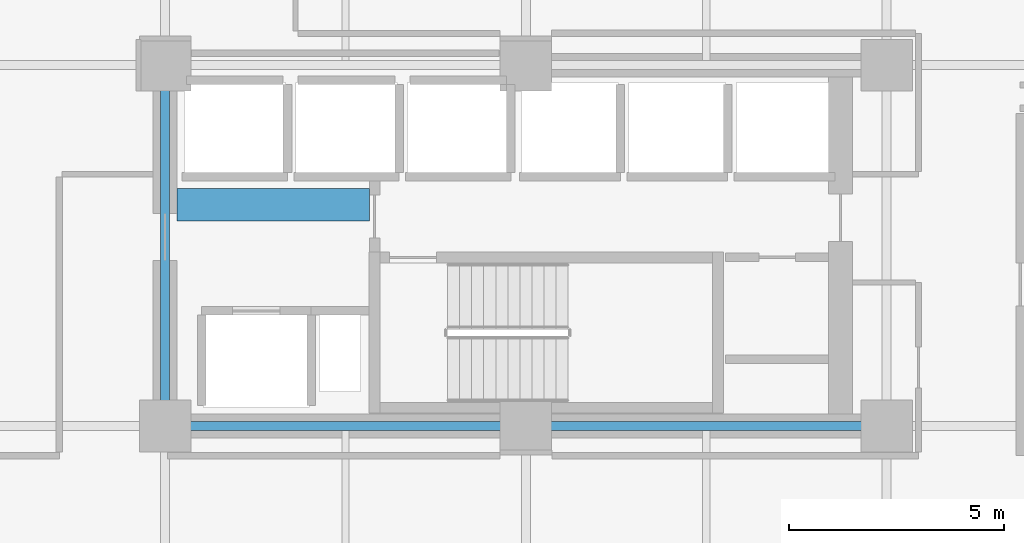
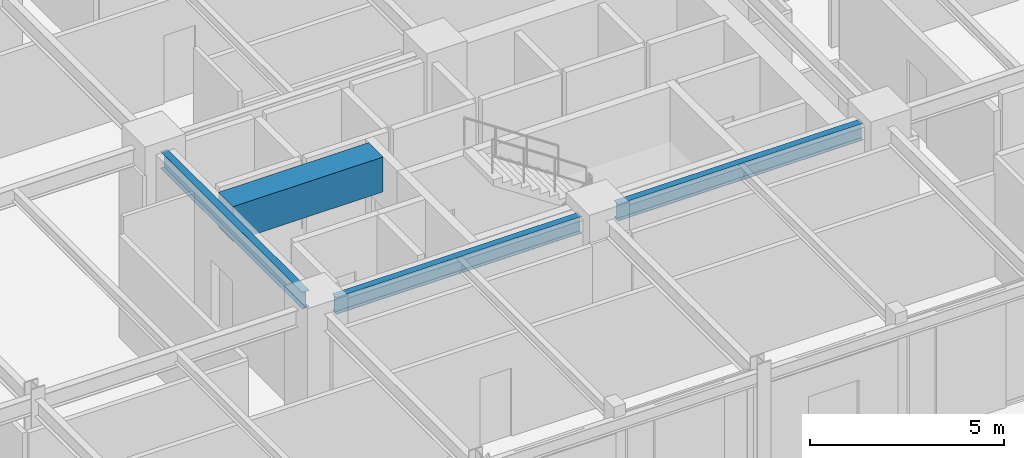
# One storey, part 10 of 40: 4 beams.
"""IFC4 building model written with IfcOpenShell, lengths in metres."""

import ifcopenshell
import ifcopenshell.guid

model = None  # the IFC model being written
_history = None  # IfcOwnerHistory: only IFC2X3 demands one
_inside = {}  # id of a spatial element -> (the spatial element, [elements in it])
_under = {}  # id of a project, library or spatial element -> (it, [spatial elements below it])
_declared = {}  # id of a project -> (the project, [libraries it declares])
_typed = {}  # id of a type object -> (the type object, [elements of that type])
_made_of = {}  # id of a material, layer set ... -> (it, [elements and type objects made of it])


def new_model(schema):
    """Start an empty IFC model of exactly this schema.

    Asked for "IFC4X3", IfcOpenShell would pick the latest addendum, in which some entities
    have other attributes; the version numbers below select the first issue.
    IFC2X3 requires an IfcOwnerHistory on every rooted entity: one is made here for all.
    """
    global model, _history
    if schema == "IFC4X3":
        model = ifcopenshell.file(schema_version=(4, 3, 0, 0))
    else:
        model = ifcopenshell.file(schema=schema)
    _inside.clear()
    _under.clear()
    _declared.clear()
    _typed.clear()
    _made_of.clear()
    _history = None
    if model.schema == "IFC2X3":
        org = make("IfcOrganization", Name="unknown")
        user = make(
            "IfcPersonAndOrganization",
            ThePerson=make("IfcPerson", FamilyName="unknown"),
            TheOrganization=org,
        )
        app = make(
            "IfcApplication",
            ApplicationDeveloper=org,
            Version="unknown",
            ApplicationFullName="unknown",
            ApplicationIdentifier="unknown",
        )
        _history = make(
            "IfcOwnerHistory",
            OwningUser=user,
            OwningApplication=app,
            ChangeAction="ADDED",
            CreationDate=0,
        )
    return model


def make(cls, **values):
    """One entity of the class cls with the attributes given. An attribute that is None is left unset."""
    return model.create_entity(
        cls, **{name: value for name, value in values.items() if value is not None}
    )


def rooted(cls, **values):
    """An entity with a GlobalId (a new one), such as an element, a storey or a relation."""
    return make(cls, GlobalId=ifcopenshell.guid.new(), OwnerHistory=_history, **values)


def si_unit(unit_type, name, prefix=None):
    """IfcSIUnit, for example si_unit("LENGTHUNIT", "METRE", prefix="MILLI")."""
    return make("IfcSIUnit", UnitType=unit_type, Prefix=prefix, Name=name)


def assignment(units):
    """IfcUnitAssignment: the units of a project."""
    return None if units is None else make("IfcUnitAssignment", Units=units)


def point(xyz):
    """IfcCartesianPoint."""
    return None if xyz is None else make("IfcCartesianPoint", Coordinates=xyz)


def direction(xyz):
    """IfcDirection."""
    return None if xyz is None else make("IfcDirection", DirectionRatios=xyz)


def frame(location, z_axis=None, x_axis=None):
    """IfcAxis2Placement3D, a coordinate frame: its origin and axes. An axis left out is left unset."""
    return make(
        "IfcAxis2Placement3D",
        Location=point(location),
        Axis=direction(z_axis),
        RefDirection=direction(x_axis),
    )


def frame_2d(location, x_axis=None):
    """IfcAxis2Placement2D, a coordinate frame in the plane: its origin and x axis."""
    return make(
        "IfcAxis2Placement2D", Location=point(location), RefDirection=direction(x_axis)
    )


def origin():
    """The frame at (0, 0, 0) with its axes left unset."""
    return frame((0.0, 0.0, 0.0))


def origin_2d():
    """The frame at (0, 0) in the plane with its x axis left unset."""
    return frame_2d((0.0, 0.0))


def place(relative_to, where):
    """IfcLocalPlacement: puts the frame where relative to a parent placement (None: the world)."""
    return make(
        "IfcLocalPlacement", PlacementRelTo=relative_to, RelativePlacement=where
    )


def context(
    kind, dimensions, precision=None, world=None, true_north=None, identifier=None
):
    """IfcGeometricRepresentationContext, for example the 3D "Model" context."""
    return make(
        "IfcGeometricRepresentationContext",
        ContextIdentifier=identifier,
        ContextType=kind,
        CoordinateSpaceDimension=dimensions,
        Precision=precision,
        WorldCoordinateSystem=world,
        TrueNorth=true_north,
    )


def subcontext(parent, identifier, kind, view, scale=None):
    """IfcGeometricRepresentationSubContext, for example "Body" below "Model"."""
    return make(
        "IfcGeometricRepresentationSubContext",
        ContextIdentifier=identifier,
        ContextType=kind,
        ParentContext=parent,
        TargetScale=scale,
        TargetView=view,
    )


def project(units=None, contexts=None):
    """IfcProject with its units and contexts."""
    return rooted(
        "IfcProject",
        Name="project",
        RepresentationContexts=contexts,
        UnitsInContext=assignment(units),
    )


def spatial(cls, under=None, at=None, **own):
    """A site, building, storey or space (cls), placed at a placement, below another one or the project."""
    s = rooted(cls, ObjectPlacement=at, **own)
    if under is not None:
        _under.setdefault(under.id(), (under, []))[1].append(s)
    return s


def profile(cls, at=None, kind="AREA", **sizes):
    """A parametric profile (cls). Its sizes go by their IFC names, for example OverallWidth=200.0."""
    return make(cls, ProfileType=kind, Position=at, **sizes)


def rectangle(**sizes):
    """IfcRectangleProfileDef."""
    return profile("IfcRectangleProfileDef", **sizes)


def i_section(**sizes):
    """IfcIShapeProfileDef."""
    return profile("IfcIShapeProfileDef", **sizes)


def extrude(swept, where, along, depth):
    """IfcExtrudedAreaSolid: the profile swept, set in the frame where, extruded along a direction by depth."""
    return make(
        "IfcExtrudedAreaSolid",
        SweptArea=swept,
        Position=where,
        ExtrudedDirection=direction(along),
        Depth=depth,
    )


def shape(context_of_items, identifier, shape_type, items):
    """IfcShapeRepresentation: the items that make up one representation, for example the "Body"."""
    return make(
        "IfcShapeRepresentation",
        ContextOfItems=context_of_items,
        RepresentationIdentifier=identifier,
        RepresentationType=shape_type,
        Items=items,
    )


def material(Name=None, Category=None):
    """IfcMaterial."""
    return make("IfcMaterial", Name=Name, Category=Category)


def material_profile(
    of_material, cross_section, Name=None, Category=None, Priority=None
):
    """IfcMaterialProfile: a cross section and its material."""
    return make(
        "IfcMaterialProfile",
        Name=Name,
        Material=of_material,
        Profile=cross_section,
        Priority=Priority,
        Category=Category,
    )


def profile_set(profiles, Name=None, composite=None):
    """IfcMaterialProfileSet."""
    return make(
        "IfcMaterialProfileSet",
        Name=Name,
        MaterialProfiles=profiles,
        CompositeProfile=composite,
    )


def made_of(thing, what):
    """Note that an element or type object is made of a material, layer set ...; save() writes the relation."""
    if what is not None:
        _made_of.setdefault(what.id(), (what, []))[1].append(thing)
    return thing


def type_object(cls, material=None, **own):
    """A type object (cls), such as IfcWallType, which elements share."""
    return made_of(rooted(cls, **own), material)


def element(
    cls,
    number,
    at=None,
    inside=None,
    cuts=None,
    type_object=None,
    material=None,
    context=None,
    identifier="Body",
    shape_type=None,
    held_by="IfcProductDefinitionShape",
    body=None,
    shapes=None,
    **own,
):
    """One element of the class cls, such as IfcWall. Its Tag is "e" and its number.

    at: its placement. inside: the storey or other place that contains it. cuts: it is an
    opening in that element (IfcRelVoidsElement). A single representation is given by context,
    identifier, shape_type and body (its items); several are given by shapes. held_by: the class
    of the entity that holds the representations. save() writes the other relations.
    """
    e = rooted(cls, Tag="e%d" % number, ObjectPlacement=at, **own)
    if body is not None:
        shapes = [shape(context, identifier, shape_type, body)]
    if shapes is not None:
        e.Representation = make(held_by, Representations=shapes)
    if inside is not None:
        _inside.setdefault(inside.id(), (inside, []))[1].append(e)
    if cuts is not None:
        rooted(
            "IfcRelVoidsElement", RelatingBuildingElement=cuts, RelatedOpeningElement=e
        )
    if type_object is not None:
        _typed.setdefault(type_object.id(), (type_object, []))[1].append(e)
    return made_of(e, material)


def aggregate(whole, parts):
    """IfcRelAggregates: a whole, such as a stair, and the parts it consists of."""
    return rooted("IfcRelAggregates", RelatingObject=whole, RelatedObjects=parts)


def save(model, path):
    """Write the relations noted so far, then the file.

    IfcRelAggregates (storeys below a building ...), IfcRelContainedInSpatialStructure (elements
    in a storey), IfcRelDefinesByType, IfcRelAssociatesMaterial and IfcRelDeclares: one each for
    every whole, place, type object, material and project.
    """
    for whole, parts in _under.values():
        aggregate(whole, parts)
    for where, things in _inside.values():
        rooted(
            "IfcRelContainedInSpatialStructure",
            RelatedElements=things,
            RelatingStructure=where,
        )
    for kind, things in _typed.values():
        rooted("IfcRelDefinesByType", RelatedObjects=things, RelatingType=kind)
    for what, things in _made_of.values():
        rooted("IfcRelAssociatesMaterial", RelatedObjects=things, RelatingMaterial=what)
    for by, libraries in _declared.values():
        rooted("IfcRelDeclares", RelatingContext=by, RelatedDefinitions=libraries)
    model.write(path)


model = new_model("IFC4")

# Units and contexts
model_context = context("Model", 3, precision=1e-05, world=origin(), true_north=direction((0.0, 1.0)))
body_context = subcontext(model_context, "Body", "Model", "MODEL_VIEW")
ifc_project = project(units=[si_unit("LENGTHUNIT", "METRE"), si_unit("AREAUNIT", "SQUARE_METRE"), si_unit("VOLUMEUNIT", "CUBIC_METRE"), si_unit("PLANEANGLEUNIT", "RADIAN"), si_unit("MASSUNIT", "GRAM", prefix="KILO")], contexts=[model_context])

# Site, building, storey
site_placement = place(None, origin())
site = spatial("IfcSite", under=ifc_project, at=site_placement, CompositionType="ELEMENT")
building_placement = place(site_placement, origin())
building = spatial("IfcBuilding", under=site, at=building_placement, Name="Nerrivon Quay Data Exchange", CompositionType="ELEMENT")
storey_placement = place(building_placement, frame((0.0, 0.0, 109.0)))
storey = spatial("IfcBuildingStorey", under=building, at=storey_placement, Name="L25", CompositionType="ELEMENT", Elevation=109.0)

# Beams
ifc_material_1 = material(Name="Concrete S65 (65 MPa)", Category="concrete")
ifc_material_profile_1 = material_profile(ifc_material_1, rectangle(XDim=0.75, YDim=1.10009765625, at=origin_2d()), Name="RC-CB-750x1100")
ifc_profile_set_1 = profile_set([ifc_material_profile_1], Name="Concrete S65 (65 MPa)")
beam_type_1 = type_object("IfcBeamType", Name="BM-CB1-750x1100", PredefinedType="LINTEL", material=ifc_profile_set_1)
beam_1_placement = place(storey_placement, frame((17.074951171875, 13.550048828125, 3.199951171875), z_axis=(1.0, 0.0, 0.0), x_axis=(0.0, 1.0, 0.0)))
element("IfcBeam", 1, at=beam_1_placement, inside=storey, type_object=beam_type_1, Name="L25 East Core Coupling Beam", PredefinedType="LINTEL", context=body_context, shape_type="SweptSolid", body=[
    extrude(rectangle(XDim=0.75, YDim=1.10009765625, at=origin_2d()), origin(), (0.0, 0.0, 1.0), 4.47998046875),
])
ifc_material_2 = material(Name="Steel Grade 350", Category="steel")
ifc_material_profile_2 = material_profile(ifc_material_2, i_section(OverallWidth=0.208984375, OverallDepth=0.532958984375, WebThickness=0.01025390625, FlangeThickness=0.015625, FilletRadius=0.013916015625, at=origin_2d()), Name="530UB92.4")
ifc_profile_set_2 = profile_set([ifc_material_profile_2], Name="Steel Grade 350")
beam_type_2 = type_object("IfcBeamType", Name="BM-G3-530UB92", PredefinedType="BEAM", material=ifc_profile_set_2)
beam_2_placement = place(storey_placement, frame((17.340087890625, 8.39990234375, 3.4833984375), z_axis=(1.0, 0.0, 0.0), x_axis=(0.0, 1.0, 0.0)))
element("IfcBeam", 2, at=beam_2_placement, inside=storey, type_object=beam_type_2, Name="L25 EW Girder Y=8.4 (16.8..25.2)", PredefinedType="BEAM", context=body_context, shape_type="SweptSolid", body=[
    extrude(i_section(OverallWidth=0.208984375, OverallDepth=0.532958984375, WebThickness=0.01025390625, FlangeThickness=0.015625, FilletRadius=0.013916015625, at=origin_2d()), origin(), (0.0, 0.0, 1.0), 7.31982421875),
])
beam_3_placement = place(storey_placement, frame((25.739990234375, 8.39990234375, 3.4833984375), z_axis=(1.0, 0.0, 0.0), x_axis=(0.0, 1.0, 0.0)))
element("IfcBeam", 3, at=beam_3_placement, inside=storey, type_object=beam_type_2, Name="L25 EW Girder Y=8.4 (25.2..33.6)", PredefinedType="BEAM", context=body_context, shape_type="SweptSolid", body=[
    extrude(i_section(OverallWidth=0.208984375, OverallDepth=0.532958984375, WebThickness=0.01025390625, FlangeThickness=0.015625, FilletRadius=0.013916015625, at=origin_2d()), origin(), (0.0, 0.0, 1.0), 7.320068359375),
])
ifc_material_profile_3 = material_profile(ifc_material_2, i_section(OverallWidth=0.208984375, OverallDepth=0.528076171875, WebThickness=0.009521484375, FlangeThickness=0.01318359375, FilletRadius=0.013916015625, at=origin_2d()), Name="530UB82.0")
ifc_profile_set_3 = profile_set([ifc_material_profile_3], Name="Steel Grade 350")
beam_type_3 = type_object("IfcBeamType", Name="BM-G4-530UB82", PredefinedType="BEAM", material=ifc_profile_set_3)
beam_4_placement = place(storey_placement, frame((16.800048828125, 8.93994140625, 3.486083984375), z_axis=(0.0, 1.0, 0.0), x_axis=(-1.0, 0.0, 0.0)))
element("IfcBeam", 4, at=beam_4_placement, inside=storey, type_object=beam_type_3, Name="L25 NS Girder X=16.8 (8.4..16.8)", PredefinedType="BEAM", context=body_context, shape_type="SweptSolid", body=[
    extrude(i_section(OverallWidth=0.208984375, OverallDepth=0.528076171875, WebThickness=0.009521484375, FlangeThickness=0.01318359375, FilletRadius=0.013916015625, at=origin_2d()), origin(), (0.0, 0.0, 1.0), 7.320068359375),
])

save(model, "model.ifc")
